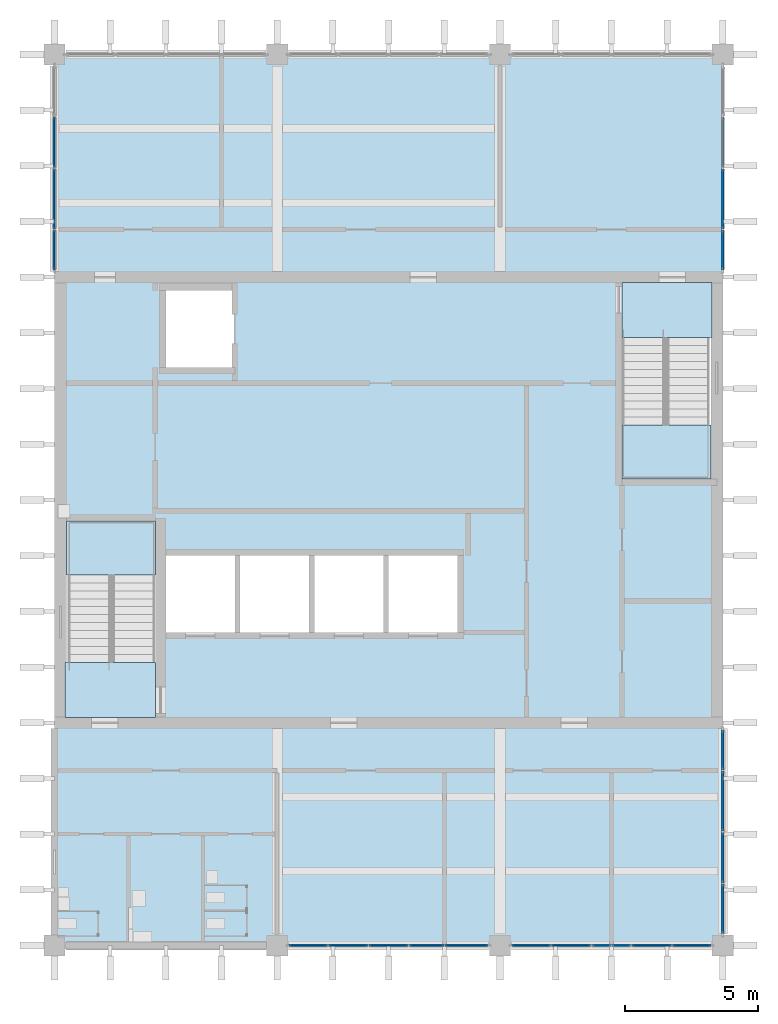
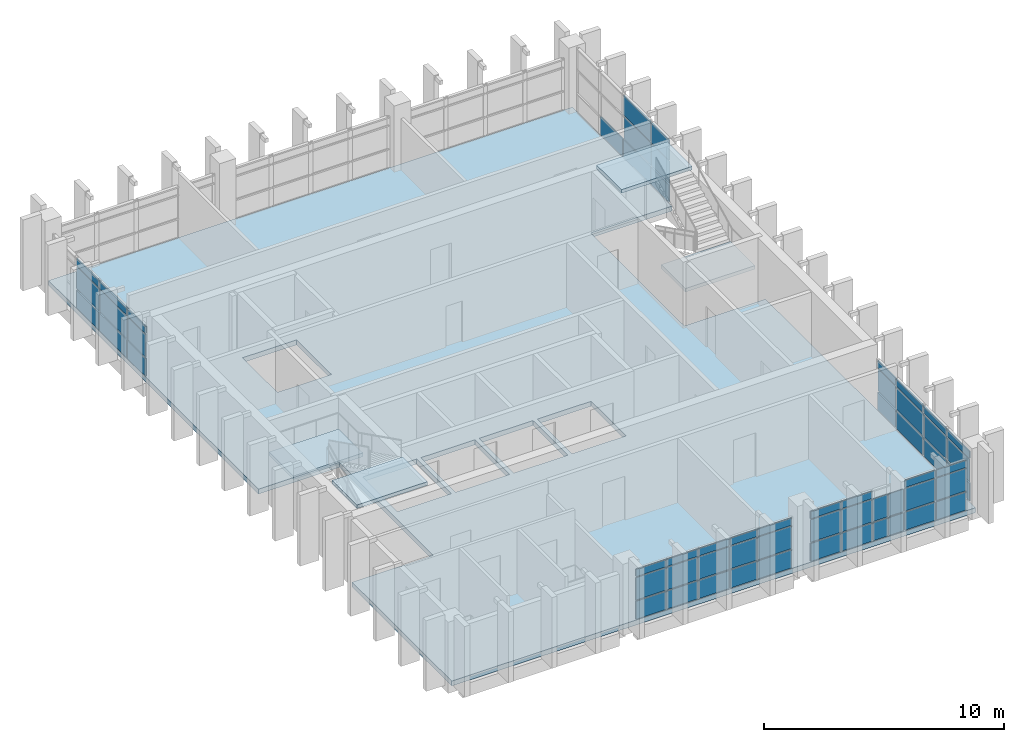
# One storey, part 5 of 11: 59 plates, 5 slabs, 7 elements without a shape of their own.
"""IFC4 building model written with IfcOpenShell, lengths in metres."""

from ifc_helpers import new_model, si_unit, direction, frame, origin, origin_2d, place, context, subcontext, project, spatial, polyline, rectangle, outline, extrude, material, layer, layer_set, type_object, element, aggregate, save


model = new_model("IFC4")

# Units and contexts
model_context = context("Model", 3, precision=1e-05, world=origin(), true_north=direction((0.0, 1.0)))
body_context = subcontext(model_context, "Body", "Model", "MODEL_VIEW")
ifc_project = project(units=[si_unit("LENGTHUNIT", "METRE"), si_unit("AREAUNIT", "SQUARE_METRE"), si_unit("VOLUMEUNIT", "CUBIC_METRE"), si_unit("PLANEANGLEUNIT", "RADIAN"), si_unit("MASSUNIT", "GRAM", prefix="KILO")], contexts=[model_context])

# Site, building, storey
site_placement = place(None, origin())
site = spatial("IfcSite", under=ifc_project, at=site_placement, CompositionType="ELEMENT")
building_placement = place(site_placement, origin())
building = spatial("IfcBuilding", under=site, at=building_placement, Name="Rulbaag Community and Learning Centre", CompositionType="ELEMENT")
storey_placement = place(building_placement, frame((0.0, 0.0, 36.0)))
storey = spatial("IfcBuildingStorey", under=building, at=storey_placement, Name="L09", CompositionType="ELEMENT", Elevation=36.0)

# Curtain wall, plates
ifc_material_1 = material(Name="Aluminium", Category="aluminium")
ifc_layer_1 = layer(ifc_material_1, 0.14990234375)
ifc_layer_set_1 = layer_set([ifc_layer_1], Name="CW-S")
curtain_wall_type_1 = type_object("IfcCurtainWallType", Name="CW-S", PredefinedType="USERDEFINED", material=ifc_layer_set_1)
curtain_wall_1_placement = place(storey_placement, origin())
curtain_wall_1 = element("IfcCurtainWall", 1, at=curtain_wall_1_placement, inside=storey, type_object=curtain_wall_type_1, Name="GS-L09-01", ObjectType="UNITISED CURTAIN WALL", PredefinedType="USERDEFINED")
ifc_layer_2 = layer(ifc_material_1, 0.054931640625)
ifc_layer_set_2 = layer_set([ifc_layer_2], Name="CW-S-SPN")
plate_type_1 = type_object("IfcPlateType", Name="CW-S-SPN", PredefinedType="CURTAIN_PANEL", material=ifc_layer_set_2)
plate_1_placement = place(storey_placement, frame((152.375, 84.0, 0.06005859375), z_axis=(0.0, 0.0, 1.0), x_axis=(1.0, 0.0, 0.0)))
plate_1 = element("IfcPlate", 2, at=plate_1_placement, type_object=plate_type_1, Name="GS spandrel panel", PredefinedType="CURTAIN_PANEL", context=body_context, shape_type="SweptSolid", body=[
    extrude(rectangle(XDim=1.429931640625, YDim=0.054931640625, at=origin_2d()), origin(), (0.0, 0.0, 1.0), 0.909912109375),
])
plate_2_placement = place(storey_placement, frame((152.375, 84.0, 2.22998046875), z_axis=(0.0, 0.0, 1.0), x_axis=(1.0, 0.0, 0.0)))
plate_2 = element("IfcPlate", 3, at=plate_2_placement, type_object=plate_type_1, Name="GS spandrel panel", PredefinedType="CURTAIN_PANEL", context=body_context, shape_type="SweptSolid", body=[
    extrude(rectangle(XDim=1.429931640625, YDim=0.054931640625, at=origin_2d()), origin(), (0.0, 0.0, 1.0), 0.360107421875),
])
plate_3_placement = place(storey_placement, frame((153.8798828125, 84.0, 0.06005859375), z_axis=(0.0, 0.0, 1.0), x_axis=(1.0, 0.0, 0.0)))
plate_3 = element("IfcPlate", 4, at=plate_3_placement, type_object=plate_type_1, Name="GS spandrel panel", PredefinedType="CURTAIN_PANEL", context=body_context, shape_type="SweptSolid", body=[
    extrude(rectangle(XDim=1.4599609375, YDim=0.054931640625, at=origin_2d()), origin(), (0.0, 0.0, 1.0), 0.909912109375),
])
plate_4_placement = place(storey_placement, frame((153.8798828125, 84.0, 2.22998046875), z_axis=(0.0, 0.0, 1.0), x_axis=(1.0, 0.0, 0.0)))
plate_4 = element("IfcPlate", 5, at=plate_4_placement, type_object=plate_type_1, Name="GS spandrel panel", PredefinedType="CURTAIN_PANEL", context=body_context, shape_type="SweptSolid", body=[
    extrude(rectangle(XDim=1.4599609375, YDim=0.054931640625, at=origin_2d()), origin(), (0.0, 0.0, 1.0), 0.360107421875),
])
plate_5_placement = place(storey_placement, frame((155.39990234375, 84.0, 0.06005859375), z_axis=(0.0, 0.0, 1.0), x_axis=(1.0, 0.0, 0.0)))
plate_5 = element("IfcPlate", 6, at=plate_5_placement, type_object=plate_type_1, Name="GS spandrel panel", PredefinedType="CURTAIN_PANEL", context=body_context, shape_type="SweptSolid", body=[
    extrude(rectangle(XDim=1.4599609375, YDim=0.054931640625, at=origin_2d()), origin(), (0.0, 0.0, 1.0), 0.909912109375),
])
plate_6_placement = place(storey_placement, frame((155.39990234375, 84.0, 2.22998046875), z_axis=(0.0, 0.0, 1.0), x_axis=(1.0, 0.0, 0.0)))
plate_6 = element("IfcPlate", 7, at=plate_6_placement, type_object=plate_type_1, Name="GS spandrel panel", PredefinedType="CURTAIN_PANEL", context=body_context, shape_type="SweptSolid", body=[
    extrude(rectangle(XDim=1.4599609375, YDim=0.054931640625, at=origin_2d()), origin(), (0.0, 0.0, 1.0), 0.360107421875),
])
plate_7_placement = place(storey_placement, frame((156.830078125, 84.0, 0.06005859375), z_axis=(0.0, 0.0, 1.0), x_axis=(1.0, 0.0, 0.0)))
plate_7 = element("IfcPlate", 8, at=plate_7_placement, type_object=plate_type_1, Name="GS spandrel panel", PredefinedType="CURTAIN_PANEL", context=body_context, shape_type="SweptSolid", body=[
    extrude(rectangle(XDim=1.280029296875, YDim=0.054931640625, at=origin_2d()), origin(), (0.0, 0.0, 1.0), 0.909912109375),
])
plate_8_placement = place(storey_placement, frame((156.830078125, 84.0, 2.22998046875), z_axis=(0.0, 0.0, 1.0), x_axis=(1.0, 0.0, 0.0)))
plate_8 = element("IfcPlate", 9, at=plate_8_placement, type_object=plate_type_1, Name="GS spandrel panel", PredefinedType="CURTAIN_PANEL", context=body_context, shape_type="SweptSolid", body=[
    extrude(rectangle(XDim=1.280029296875, YDim=0.054931640625, at=origin_2d()), origin(), (0.0, 0.0, 1.0), 0.360107421875),
])
plate_9_placement = place(storey_placement, frame((158.3349609375, 84.0, 0.06005859375), z_axis=(0.0, 0.0, 1.0), x_axis=(1.0, 0.0, 0.0)))
plate_9 = element("IfcPlate", 10, at=plate_9_placement, type_object=plate_type_1, Name="GS spandrel panel", PredefinedType="CURTAIN_PANEL", context=body_context, shape_type="SweptSolid", body=[
    extrude(rectangle(XDim=1.610107421875, YDim=0.054931640625, at=origin_2d()), origin(), (0.0, 0.0, 1.0), 0.909912109375),
])
plate_10_placement = place(storey_placement, frame((158.3349609375, 84.0, 2.22998046875), z_axis=(0.0, 0.0, 1.0), x_axis=(1.0, 0.0, 0.0)))
plate_10 = element("IfcPlate", 11, at=plate_10_placement, type_object=plate_type_1, Name="GS spandrel panel", PredefinedType="CURTAIN_PANEL", context=body_context, shape_type="SweptSolid", body=[
    extrude(rectangle(XDim=1.610107421875, YDim=0.054931640625, at=origin_2d()), origin(), (0.0, 0.0, 1.0), 0.360107421875),
])

curtain_wall_2_placement = place(storey_placement, origin())
curtain_wall_2 = element("IfcCurtainWall", 12, at=curtain_wall_2_placement, inside=storey, type_object=curtain_wall_type_1, Name="GS-L09-02", ObjectType="UNITISED CURTAIN WALL", PredefinedType="USERDEFINED")
plate_11_placement = place(storey_placement, frame((160.77490234375, 84.0, 0.06005859375), z_axis=(0.0, 0.0, 1.0), x_axis=(1.0, 0.0, 0.0)))
plate_11 = element("IfcPlate", 13, at=plate_11_placement, type_object=plate_type_1, Name="GS spandrel panel", PredefinedType="CURTAIN_PANEL", context=body_context, shape_type="SweptSolid", body=[
    extrude(rectangle(XDim=1.429931640625, YDim=0.054931640625, at=origin_2d()), origin(), (0.0, 0.0, 1.0), 0.909912109375),
])
plate_12_placement = place(storey_placement, frame((160.77490234375, 84.0, 2.22998046875), z_axis=(0.0, 0.0, 1.0), x_axis=(1.0, 0.0, 0.0)))
plate_12 = element("IfcPlate", 14, at=plate_12_placement, type_object=plate_type_1, Name="GS spandrel panel", PredefinedType="CURTAIN_PANEL", context=body_context, shape_type="SweptSolid", body=[
    extrude(rectangle(XDim=1.429931640625, YDim=0.054931640625, at=origin_2d()), origin(), (0.0, 0.0, 1.0), 0.360107421875),
])
plate_13_placement = place(storey_placement, frame((162.280029296875, 84.0, 0.06005859375), z_axis=(0.0, 0.0, 1.0), x_axis=(1.0, 0.0, 0.0)))
plate_13 = element("IfcPlate", 15, at=plate_13_placement, type_object=plate_type_1, Name="GS spandrel panel", PredefinedType="CURTAIN_PANEL", context=body_context, shape_type="SweptSolid", body=[
    extrude(rectangle(XDim=1.4599609375, YDim=0.054931640625, at=origin_2d()), origin(), (0.0, 0.0, 1.0), 0.909912109375),
])
plate_14_placement = place(storey_placement, frame((162.280029296875, 84.0, 2.22998046875), z_axis=(0.0, 0.0, 1.0), x_axis=(1.0, 0.0, 0.0)))
plate_14 = element("IfcPlate", 16, at=plate_14_placement, type_object=plate_type_1, Name="GS spandrel panel", PredefinedType="CURTAIN_PANEL", context=body_context, shape_type="SweptSolid", body=[
    extrude(rectangle(XDim=1.4599609375, YDim=0.054931640625, at=origin_2d()), origin(), (0.0, 0.0, 1.0), 0.360107421875),
])
plate_15_placement = place(storey_placement, frame((163.419921875, 84.0, 0.06005859375), z_axis=(0.0, 0.0, 1.0), x_axis=(1.0, 0.0, 0.0)))
plate_15 = element("IfcPlate", 17, at=plate_15_placement, type_object=plate_type_1, Name="GS spandrel panel", PredefinedType="CURTAIN_PANEL", context=body_context, shape_type="SweptSolid", body=[
    extrude(rectangle(XDim=0.699951171875, YDim=0.054931640625, at=origin_2d()), origin(), (0.0, 0.0, 1.0), 0.909912109375),
])
plate_16_placement = place(storey_placement, frame((164.179931640625, 84.0, 0.06005859375), z_axis=(0.0, 0.0, 1.0), x_axis=(1.0, 0.0, 0.0)))
plate_16 = element("IfcPlate", 18, at=plate_16_placement, type_object=plate_type_1, Name="GS spandrel panel", PredefinedType="CURTAIN_PANEL", context=body_context, shape_type="SweptSolid", body=[
    extrude(rectangle(XDim=0.699951171875, YDim=0.054931640625, at=origin_2d()), origin(), (0.0, 0.0, 1.0), 0.909912109375),
])
plate_17_placement = place(storey_placement, frame((165.320068359375, 84.0, 0.06005859375), z_axis=(0.0, 0.0, 1.0), x_axis=(1.0, 0.0, 0.0)))
plate_17 = element("IfcPlate", 19, at=plate_17_placement, type_object=plate_type_1, Name="GS spandrel panel", PredefinedType="CURTAIN_PANEL", context=body_context, shape_type="SweptSolid", body=[
    extrude(rectangle(XDim=1.4599609375, YDim=0.054931640625, at=origin_2d()), origin(), (0.0, 0.0, 1.0), 0.909912109375),
])
plate_18_placement = place(storey_placement, frame((165.320068359375, 84.0, 2.22998046875), z_axis=(0.0, 0.0, 1.0), x_axis=(1.0, 0.0, 0.0)))
plate_18 = element("IfcPlate", 20, at=plate_18_placement, type_object=plate_type_1, Name="GS spandrel panel", PredefinedType="CURTAIN_PANEL", context=body_context, shape_type="SweptSolid", body=[
    extrude(rectangle(XDim=1.4599609375, YDim=0.054931640625, at=origin_2d()), origin(), (0.0, 0.0, 1.0), 0.360107421875),
])
plate_19_placement = place(storey_placement, frame((166.824951171875, 84.0, 0.06005859375), z_axis=(0.0, 0.0, 1.0), x_axis=(1.0, 0.0, 0.0)))
plate_19 = element("IfcPlate", 21, at=plate_19_placement, type_object=plate_type_1, Name="GS spandrel panel", PredefinedType="CURTAIN_PANEL", context=body_context, shape_type="SweptSolid", body=[
    extrude(rectangle(XDim=1.429931640625, YDim=0.054931640625, at=origin_2d()), origin(), (0.0, 0.0, 1.0), 0.909912109375),
])
plate_20_placement = place(storey_placement, frame((166.824951171875, 84.0, 2.22998046875), z_axis=(0.0, 0.0, 1.0), x_axis=(1.0, 0.0, 0.0)))
plate_20 = element("IfcPlate", 22, at=plate_20_placement, type_object=plate_type_1, Name="GS spandrel panel", PredefinedType="CURTAIN_PANEL", context=body_context, shape_type="SweptSolid", body=[
    extrude(rectangle(XDim=1.429931640625, YDim=0.054931640625, at=origin_2d()), origin(), (0.0, 0.0, 1.0), 0.360107421875),
])

# Plate
ifc_material_2 = material(Name="Glass", Category="glass")
ifc_layer_3 = layer(ifc_material_2, 0.030029296875)
ifc_layer_set_3 = layer_set([ifc_layer_3], Name="CW-S-VIS")
plate_type_2 = type_object("IfcPlateType", Name="CW-S-VIS", PredefinedType="CURTAIN_PANEL", material=ifc_layer_set_3)
plate_21_placement = place(storey_placement, frame((152.375, 84.0, 1.0302734375), z_axis=(0.0, 0.0, 1.0), x_axis=(1.0, 0.0, 0.0)))
plate_21 = element("IfcPlate", 23, at=plate_21_placement, type_object=plate_type_2, Name="GS vision panel", PredefinedType="CURTAIN_PANEL", context=body_context, shape_type="SweptSolid", body=[
    extrude(rectangle(XDim=1.429931640625, YDim=0.030029296875, at=origin_2d()), origin(), (0.0, 0.0, 1.0), 1.139892578125),
])

plate_22_placement = place(storey_placement, frame((153.8798828125, 84.0, 1.0302734375), z_axis=(0.0, 0.0, 1.0), x_axis=(1.0, 0.0, 0.0)))
plate_22 = element("IfcPlate", 24, at=plate_22_placement, type_object=plate_type_2, Name="GS vision panel", PredefinedType="CURTAIN_PANEL", context=body_context, shape_type="SweptSolid", body=[
    extrude(rectangle(XDim=1.4599609375, YDim=0.030029296875, at=origin_2d()), origin(), (0.0, 0.0, 1.0), 1.139892578125),
])

plate_23_placement = place(storey_placement, frame((155.39990234375, 84.0, 1.0302734375), z_axis=(0.0, 0.0, 1.0), x_axis=(1.0, 0.0, 0.0)))
plate_23 = element("IfcPlate", 25, at=plate_23_placement, type_object=plate_type_2, Name="GS vision panel", PredefinedType="CURTAIN_PANEL", context=body_context, shape_type="SweptSolid", body=[
    extrude(rectangle(XDim=1.4599609375, YDim=0.030029296875, at=origin_2d()), origin(), (0.0, 0.0, 1.0), 1.139892578125),
])

plate_24_placement = place(storey_placement, frame((156.830078125, 84.0, 1.0302734375), z_axis=(0.0, 0.0, 1.0), x_axis=(1.0, 0.0, 0.0)))
plate_24 = element("IfcPlate", 26, at=plate_24_placement, type_object=plate_type_2, Name="GS vision panel", PredefinedType="CURTAIN_PANEL", context=body_context, shape_type="SweptSolid", body=[
    extrude(rectangle(XDim=1.280029296875, YDim=0.030029296875, at=origin_2d()), origin(), (0.0, 0.0, 1.0), 1.139892578125),
])

plate_25_placement = place(storey_placement, frame((158.3349609375, 84.0, 1.0302734375), z_axis=(0.0, 0.0, 1.0), x_axis=(1.0, 0.0, 0.0)))
plate_25 = element("IfcPlate", 27, at=plate_25_placement, type_object=plate_type_2, Name="GS vision panel", PredefinedType="CURTAIN_PANEL", context=body_context, shape_type="SweptSolid", body=[
    extrude(rectangle(XDim=1.610107421875, YDim=0.030029296875, at=origin_2d()), origin(), (0.0, 0.0, 1.0), 1.139892578125),
])

aggregate(curtain_wall_1, [plate_1, plate_21, plate_2, plate_3, plate_22, plate_4, plate_5, plate_23, plate_6, plate_7, plate_24, plate_8, plate_9, plate_25, plate_10])

plate_26_placement = place(storey_placement, frame((160.77490234375, 84.0, 1.0302734375), z_axis=(0.0, 0.0, 1.0), x_axis=(1.0, 0.0, 0.0)))
plate_26 = element("IfcPlate", 28, at=plate_26_placement, type_object=plate_type_2, Name="GS vision panel", PredefinedType="CURTAIN_PANEL", context=body_context, shape_type="SweptSolid", body=[
    extrude(rectangle(XDim=1.429931640625, YDim=0.030029296875, at=origin_2d()), origin(), (0.0, 0.0, 1.0), 1.139892578125),
])

plate_27_placement = place(storey_placement, frame((162.280029296875, 84.0, 1.0302734375), z_axis=(0.0, 0.0, 1.0), x_axis=(1.0, 0.0, 0.0)))
plate_27 = element("IfcPlate", 29, at=plate_27_placement, type_object=plate_type_2, Name="GS vision panel", PredefinedType="CURTAIN_PANEL", context=body_context, shape_type="SweptSolid", body=[
    extrude(rectangle(XDim=1.4599609375, YDim=0.030029296875, at=origin_2d()), origin(), (0.0, 0.0, 1.0), 1.139892578125),
])

plate_28_placement = place(storey_placement, frame((163.419921875, 84.0, 1.0302734375), z_axis=(0.0, 0.0, 1.0), x_axis=(1.0, 0.0, 0.0)))
plate_28 = element("IfcPlate", 30, at=plate_28_placement, type_object=plate_type_2, Name="GS vision panel", PredefinedType="CURTAIN_PANEL", context=body_context, shape_type="SweptSolid", body=[
    extrude(rectangle(XDim=0.699951171875, YDim=0.030029296875, at=origin_2d()), origin(), (0.0, 0.0, 1.0), 1.139892578125),
])

plate_29_placement = place(storey_placement, frame((164.179931640625, 84.0, 1.0302734375), z_axis=(0.0, 0.0, 1.0), x_axis=(1.0, 0.0, 0.0)))
plate_29 = element("IfcPlate", 31, at=plate_29_placement, type_object=plate_type_2, Name="GS vision panel", PredefinedType="CURTAIN_PANEL", context=body_context, shape_type="SweptSolid", body=[
    extrude(rectangle(XDim=0.699951171875, YDim=0.030029296875, at=origin_2d()), origin(), (0.0, 0.0, 1.0), 1.139892578125),
])

plate_30_placement = place(storey_placement, frame((165.320068359375, 84.0, 1.0302734375), z_axis=(0.0, 0.0, 1.0), x_axis=(1.0, 0.0, 0.0)))
plate_30 = element("IfcPlate", 32, at=plate_30_placement, type_object=plate_type_2, Name="GS vision panel", PredefinedType="CURTAIN_PANEL", context=body_context, shape_type="SweptSolid", body=[
    extrude(rectangle(XDim=1.4599609375, YDim=0.030029296875, at=origin_2d()), origin(), (0.0, 0.0, 1.0), 1.139892578125),
])

plate_31_placement = place(storey_placement, frame((166.824951171875, 84.0, 1.0302734375), z_axis=(0.0, 0.0, 1.0), x_axis=(1.0, 0.0, 0.0)))
plate_31 = element("IfcPlate", 33, at=plate_31_placement, type_object=plate_type_2, Name="GS vision panel", PredefinedType="CURTAIN_PANEL", context=body_context, shape_type="SweptSolid", body=[
    extrude(rectangle(XDim=1.429931640625, YDim=0.030029296875, at=origin_2d()), origin(), (0.0, 0.0, 1.0), 1.139892578125),
])

aggregate(curtain_wall_2, [plate_11, plate_26, plate_12, plate_13, plate_27, plate_14, plate_15, plate_28, plate_16, plate_29, plate_17, plate_30, plate_18, plate_19, plate_31, plate_20])

# Curtain wall, plates
ifc_layer_4 = layer(ifc_material_1, 0.14990234375)
ifc_layer_set_4 = layer_set([ifc_layer_4], Name="CW-T")
curtain_wall_type_2 = type_object("IfcCurtainWallType", Name="CW-T", PredefinedType="USERDEFINED", material=ifc_layer_set_4)
curtain_wall_3_placement = place(storey_placement, origin())
curtain_wall_3 = element("IfcCurtainWall", 34, at=curtain_wall_3_placement, inside=storey, type_object=curtain_wall_type_2, Name="GT-L09-04", ObjectType="UNITISED CURTAIN WALL", PredefinedType="USERDEFINED")
ifc_layer_5 = layer(ifc_material_1, 0.06005859375)
ifc_layer_set_5 = layer_set([ifc_layer_5], Name="CW-T-SPN")
plate_type_3 = type_object("IfcPlateType", Name="CW-T-SPN", PredefinedType="CURTAIN_PANEL", material=ifc_layer_set_5)
plate_32_placement = place(storey_placement, frame((142.800048828125, 110.228759765625, 0.06494140625), z_axis=(0.0, 0.0, 1.0), x_axis=(0.0, 1.0, 0.0)))
plate_32 = element("IfcPlate", 35, at=plate_32_placement, type_object=plate_type_3, Name="GT spandrel panel", PredefinedType="CURTAIN_PANEL", context=body_context, shape_type="SweptSolid", body=[
    extrude(rectangle(XDim=1.4775390625, YDim=0.06005859375, at=origin_2d()), origin(), (0.0, 0.0, 1.0), 0.902587890625),
])
plate_33_placement = place(storey_placement, frame((142.800048828125, 110.228759765625, 2.232421875), z_axis=(0.0, 0.0, 1.0), x_axis=(0.0, 1.0, 0.0)))
plate_33 = element("IfcPlate", 36, at=plate_33_placement, type_object=plate_type_3, Name="GT spandrel panel", PredefinedType="CURTAIN_PANEL", context=body_context, shape_type="SweptSolid", body=[
    extrude(rectangle(XDim=1.4775390625, YDim=0.06005859375, at=origin_2d()), origin(), (0.0, 0.0, 1.0), 0.3525390625),
])
plate_34_placement = place(storey_placement, frame((142.800048828125, 112.15625, 0.06494140625), z_axis=(0.0, 0.0, 1.0), x_axis=(0.0, 1.0, 0.0)))
plate_34 = element("IfcPlate", 37, at=plate_34_placement, type_object=plate_type_3, Name="GT spandrel panel", PredefinedType="CURTAIN_PANEL", context=body_context, shape_type="SweptSolid", body=[
    extrude(rectangle(XDim=2.24755859375, YDim=0.06005859375, at=origin_2d()), origin(), (0.0, 0.0, 1.0), 0.902587890625),
])
plate_35_placement = place(storey_placement, frame((142.800048828125, 112.15625, 2.232421875), z_axis=(0.0, 0.0, 1.0), x_axis=(0.0, 1.0, 0.0)))
plate_35 = element("IfcPlate", 38, at=plate_35_placement, type_object=plate_type_3, Name="GT spandrel panel", PredefinedType="CURTAIN_PANEL", context=body_context, shape_type="SweptSolid", body=[
    extrude(rectangle(XDim=2.24755859375, YDim=0.06005859375, at=origin_2d()), origin(), (0.0, 0.0, 1.0), 0.3525390625),
])
plate_36_placement = place(storey_placement, frame((142.800048828125, 114.284423828125, 0.06494140625), z_axis=(0.0, 0.0, 1.0), x_axis=(0.0, 1.0, 0.0)))
plate_36 = element("IfcPlate", 39, at=plate_36_placement, type_object=plate_type_3, Name="GT spandrel panel", PredefinedType="CURTAIN_PANEL", context=body_context, shape_type="SweptSolid", body=[
    extrude(rectangle(XDim=1.878662109375, YDim=0.06005859375, at=origin_2d()), origin(), (0.0, 0.0, 1.0), 0.902587890625),
])
plate_37_placement = place(storey_placement, frame((142.800048828125, 114.284423828125, 2.232421875), z_axis=(0.0, 0.0, 1.0), x_axis=(0.0, 1.0, 0.0)))
plate_37 = element("IfcPlate", 40, at=plate_37_placement, type_object=plate_type_3, Name="GT spandrel panel", PredefinedType="CURTAIN_PANEL", context=body_context, shape_type="SweptSolid", body=[
    extrude(rectangle(XDim=1.878662109375, YDim=0.06005859375, at=origin_2d()), origin(), (0.0, 0.0, 1.0), 0.3525390625),
])

curtain_wall_4_placement = place(storey_placement, origin())
curtain_wall_4 = element("IfcCurtainWall", 41, at=curtain_wall_4_placement, inside=storey, type_object=curtain_wall_type_2, Name="GT-L09-05", ObjectType="UNITISED CURTAIN WALL", PredefinedType="USERDEFINED")
plate_38_placement = place(storey_placement, frame((168.0, 85.38818359375, 0.06494140625), z_axis=(0.0, 0.0, 1.0), x_axis=(0.0, 1.0, 0.0)))
plate_38 = element("IfcPlate", 42, at=plate_38_placement, type_object=plate_type_3, Name="GT spandrel panel", PredefinedType="CURTAIN_PANEL", context=body_context, shape_type="SweptSolid", body=[
    extrude(rectangle(XDim=1.84619140625, YDim=0.06005859375, at=origin_2d()), origin(), (0.0, 0.0, 1.0), 0.902587890625),
])
plate_39_placement = place(storey_placement, frame((168.0, 85.38818359375, 2.232421875), z_axis=(0.0, 0.0, 1.0), x_axis=(0.0, 1.0, 0.0)))
plate_39 = element("IfcPlate", 43, at=plate_39_placement, type_object=plate_type_3, Name="GT spandrel panel", PredefinedType="CURTAIN_PANEL", context=body_context, shape_type="SweptSolid", body=[
    extrude(rectangle(XDim=1.84619140625, YDim=0.06005859375, at=origin_2d()), origin(), (0.0, 0.0, 1.0), 0.3525390625),
])
plate_40_placement = place(storey_placement, frame((168.0, 87.315673828125, 0.06494140625), z_axis=(0.0, 0.0, 1.0), x_axis=(0.0, 1.0, 0.0)))
plate_40 = element("IfcPlate", 44, at=plate_40_placement, type_object=plate_type_3, Name="GT spandrel panel", PredefinedType="CURTAIN_PANEL", context=body_context, shape_type="SweptSolid", body=[
    extrude(rectangle(XDim=1.878662109375, YDim=0.06005859375, at=origin_2d()), origin(), (0.0, 0.0, 1.0), 0.902587890625),
])
plate_41_placement = place(storey_placement, frame((168.0, 87.315673828125, 2.232421875), z_axis=(0.0, 0.0, 1.0), x_axis=(0.0, 1.0, 0.0)))
plate_41 = element("IfcPlate", 45, at=plate_41_placement, type_object=plate_type_3, Name="GT spandrel panel", PredefinedType="CURTAIN_PANEL", context=body_context, shape_type="SweptSolid", body=[
    extrude(rectangle(XDim=1.878662109375, YDim=0.06005859375, at=origin_2d()), origin(), (0.0, 0.0, 1.0), 0.3525390625),
])
plate_42_placement = place(storey_placement, frame((168.0, 89.44384765625, 0.06494140625), z_axis=(0.0, 0.0, 1.0), x_axis=(0.0, 1.0, 0.0)))
plate_42 = element("IfcPlate", 46, at=plate_42_placement, type_object=plate_type_3, Name="GT spandrel panel", PredefinedType="CURTAIN_PANEL", context=body_context, shape_type="SweptSolid", body=[
    extrude(rectangle(XDim=2.24755859375, YDim=0.06005859375, at=origin_2d()), origin(), (0.0, 0.0, 1.0), 0.902587890625),
])
plate_43_placement = place(storey_placement, frame((168.0, 89.44384765625, 2.232421875), z_axis=(0.0, 0.0, 1.0), x_axis=(0.0, 1.0, 0.0)))
plate_43 = element("IfcPlate", 47, at=plate_43_placement, type_object=plate_type_3, Name="GT spandrel panel", PredefinedType="CURTAIN_PANEL", context=body_context, shape_type="SweptSolid", body=[
    extrude(rectangle(XDim=2.24755859375, YDim=0.06005859375, at=origin_2d()), origin(), (0.0, 0.0, 1.0), 0.3525390625),
])
plate_44_placement = place(storey_placement, frame((168.0, 91.371337890625, 0.06494140625), z_axis=(0.0, 0.0, 1.0), x_axis=(0.0, 1.0, 0.0)))
plate_44 = element("IfcPlate", 48, at=plate_44_placement, type_object=plate_type_3, Name="GT spandrel panel", PredefinedType="CURTAIN_PANEL", context=body_context, shape_type="SweptSolid", body=[
    extrude(rectangle(XDim=1.4775390625, YDim=0.06005859375, at=origin_2d()), origin(), (0.0, 0.0, 1.0), 0.902587890625),
])
plate_45_placement = place(storey_placement, frame((168.0, 91.371337890625, 2.232421875), z_axis=(0.0, 0.0, 1.0), x_axis=(0.0, 1.0, 0.0)))
plate_45 = element("IfcPlate", 49, at=plate_45_placement, type_object=plate_type_3, Name="GT spandrel panel", PredefinedType="CURTAIN_PANEL", context=body_context, shape_type="SweptSolid", body=[
    extrude(rectangle(XDim=1.4775390625, YDim=0.06005859375, at=origin_2d()), origin(), (0.0, 0.0, 1.0), 0.3525390625),
])

curtain_wall_5_placement = place(storey_placement, origin())
curtain_wall_5 = element("IfcCurtainWall", 50, at=curtain_wall_5_placement, inside=storey, type_object=curtain_wall_type_2, Name="GT-L09-06", ObjectType="UNITISED CURTAIN WALL", PredefinedType="USERDEFINED")
plate_46_placement = place(storey_placement, frame((168.0, 110.228759765625, 0.06494140625), z_axis=(0.0, 0.0, 1.0), x_axis=(0.0, 1.0, 0.0)))
plate_46 = element("IfcPlate", 51, at=plate_46_placement, type_object=plate_type_3, Name="GT spandrel panel", PredefinedType="CURTAIN_PANEL", context=body_context, shape_type="SweptSolid", body=[
    extrude(rectangle(XDim=1.4775390625, YDim=0.06005859375, at=origin_2d()), origin(), (0.0, 0.0, 1.0), 0.902587890625),
])
plate_47_placement = place(storey_placement, frame((168.0, 110.228759765625, 2.232421875), z_axis=(0.0, 0.0, 1.0), x_axis=(0.0, 1.0, 0.0)))
plate_47 = element("IfcPlate", 52, at=plate_47_placement, type_object=plate_type_3, Name="GT spandrel panel", PredefinedType="CURTAIN_PANEL", context=body_context, shape_type="SweptSolid", body=[
    extrude(rectangle(XDim=1.4775390625, YDim=0.06005859375, at=origin_2d()), origin(), (0.0, 0.0, 1.0), 1.00244140625),
])
plate_48_placement = place(storey_placement, frame((168.0, 112.15625, 0.06494140625), z_axis=(0.0, 0.0, 1.0), x_axis=(0.0, 1.0, 0.0)))
plate_48 = element("IfcPlate", 53, at=plate_48_placement, type_object=plate_type_3, Name="GT spandrel panel", PredefinedType="CURTAIN_PANEL", context=body_context, shape_type="SweptSolid", body=[
    extrude(rectangle(XDim=2.24755859375, YDim=0.06005859375, at=origin_2d()), origin(), (0.0, 0.0, 1.0), 0.902587890625),
])
plate_49_placement = place(storey_placement, frame((168.0, 112.15625, 2.232421875), z_axis=(0.0, 0.0, 1.0), x_axis=(0.0, 1.0, 0.0)))
plate_49 = element("IfcPlate", 54, at=plate_49_placement, type_object=plate_type_3, Name="GT spandrel panel", PredefinedType="CURTAIN_PANEL", context=body_context, shape_type="SweptSolid", body=[
    extrude(rectangle(XDim=2.24755859375, YDim=0.06005859375, at=origin_2d()), origin(), (0.0, 0.0, 1.0), 1.00244140625),
])
plate_50_placement = place(storey_placement, frame((168.0, 114.284423828125, 0.06494140625), z_axis=(0.0, 0.0, 1.0), x_axis=(0.0, 1.0, 0.0)))
plate_50 = element("IfcPlate", 55, at=plate_50_placement, type_object=plate_type_3, Name="GT spandrel panel", PredefinedType="CURTAIN_PANEL", context=body_context, shape_type="SweptSolid", body=[
    extrude(rectangle(XDim=1.878662109375, YDim=0.06005859375, at=origin_2d()), origin(), (0.0, 0.0, 1.0), 0.902587890625),
])

# Plate
ifc_layer_6 = layer(ifc_material_2, 0.028076171875)
ifc_layer_set_6 = layer_set([ifc_layer_6], Name="CW-T-VIS")
plate_type_4 = type_object("IfcPlateType", Name="CW-T-VIS", PredefinedType="CURTAIN_PANEL", material=ifc_layer_set_6)
plate_51_placement = place(storey_placement, frame((142.800048828125, 110.228759765625, 1.03271484375), z_axis=(0.0, 0.0, 1.0), x_axis=(0.0, 1.0, 0.0)))
plate_51 = element("IfcPlate", 56, at=plate_51_placement, type_object=plate_type_4, Name="GT vision panel", PredefinedType="CURTAIN_PANEL", context=body_context, shape_type="SweptSolid", body=[
    extrude(rectangle(XDim=1.4775390625, YDim=0.028076171875, at=origin_2d()), origin(), (0.0, 0.0, 1.0), 1.135009765625),
])

plate_52_placement = place(storey_placement, frame((142.800048828125, 112.15625, 1.03271484375), z_axis=(0.0, 0.0, 1.0), x_axis=(0.0, 1.0, 0.0)))
plate_52 = element("IfcPlate", 57, at=plate_52_placement, type_object=plate_type_4, Name="GT vision panel", PredefinedType="CURTAIN_PANEL", context=body_context, shape_type="SweptSolid", body=[
    extrude(rectangle(XDim=2.24755859375, YDim=0.028076171875, at=origin_2d()), origin(), (0.0, 0.0, 1.0), 1.135009765625),
])

plate_53_placement = place(storey_placement, frame((142.800048828125, 114.284423828125, 1.03271484375), z_axis=(0.0, 0.0, 1.0), x_axis=(0.0, 1.0, 0.0)))
plate_53 = element("IfcPlate", 58, at=plate_53_placement, type_object=plate_type_4, Name="GT vision panel", PredefinedType="CURTAIN_PANEL", context=body_context, shape_type="SweptSolid", body=[
    extrude(rectangle(XDim=1.878662109375, YDim=0.028076171875, at=origin_2d()), origin(), (0.0, 0.0, 1.0), 1.135009765625),
])

aggregate(curtain_wall_3, [plate_32, plate_51, plate_33, plate_34, plate_52, plate_35, plate_36, plate_53, plate_37])

plate_54_placement = place(storey_placement, frame((168.0, 85.38818359375, 1.03271484375), z_axis=(0.0, 0.0, 1.0), x_axis=(0.0, 1.0, 0.0)))
plate_54 = element("IfcPlate", 59, at=plate_54_placement, type_object=plate_type_4, Name="GT vision panel", PredefinedType="CURTAIN_PANEL", context=body_context, shape_type="SweptSolid", body=[
    extrude(rectangle(XDim=1.84619140625, YDim=0.028076171875, at=origin_2d()), origin(), (0.0, 0.0, 1.0), 1.135009765625),
])

plate_55_placement = place(storey_placement, frame((168.0, 87.315673828125, 1.03271484375), z_axis=(0.0, 0.0, 1.0), x_axis=(0.0, 1.0, 0.0)))
plate_55 = element("IfcPlate", 60, at=plate_55_placement, type_object=plate_type_4, Name="GT vision panel", PredefinedType="CURTAIN_PANEL", context=body_context, shape_type="SweptSolid", body=[
    extrude(rectangle(XDim=1.878662109375, YDim=0.028076171875, at=origin_2d()), origin(), (0.0, 0.0, 1.0), 1.135009765625),
])

plate_56_placement = place(storey_placement, frame((168.0, 89.44384765625, 1.03271484375), z_axis=(0.0, 0.0, 1.0), x_axis=(0.0, 1.0, 0.0)))
plate_56 = element("IfcPlate", 61, at=plate_56_placement, type_object=plate_type_4, Name="GT vision panel", PredefinedType="CURTAIN_PANEL", context=body_context, shape_type="SweptSolid", body=[
    extrude(rectangle(XDim=2.24755859375, YDim=0.028076171875, at=origin_2d()), origin(), (0.0, 0.0, 1.0), 1.135009765625),
])

plate_57_placement = place(storey_placement, frame((168.0, 91.371337890625, 1.03271484375), z_axis=(0.0, 0.0, 1.0), x_axis=(0.0, 1.0, 0.0)))
plate_57 = element("IfcPlate", 62, at=plate_57_placement, type_object=plate_type_4, Name="GT vision panel", PredefinedType="CURTAIN_PANEL", context=body_context, shape_type="SweptSolid", body=[
    extrude(rectangle(XDim=1.4775390625, YDim=0.028076171875, at=origin_2d()), origin(), (0.0, 0.0, 1.0), 1.135009765625),
])

aggregate(curtain_wall_4, [plate_38, plate_54, plate_39, plate_40, plate_55, plate_41, plate_42, plate_56, plate_43, plate_44, plate_57, plate_45])

plate_58_placement = place(storey_placement, frame((168.0, 110.228759765625, 1.03271484375), z_axis=(0.0, 0.0, 1.0), x_axis=(0.0, 1.0, 0.0)))
plate_58 = element("IfcPlate", 63, at=plate_58_placement, type_object=plate_type_4, Name="GT vision panel", PredefinedType="CURTAIN_PANEL", context=body_context, shape_type="SweptSolid", body=[
    extrude(rectangle(XDim=1.4775390625, YDim=0.028076171875, at=origin_2d()), origin(), (0.0, 0.0, 1.0), 1.135009765625),
])

plate_59_placement = place(storey_placement, frame((168.0, 112.15625, 1.03271484375), z_axis=(0.0, 0.0, 1.0), x_axis=(0.0, 1.0, 0.0)))
plate_59 = element("IfcPlate", 64, at=plate_59_placement, type_object=plate_type_4, Name="GT vision panel", PredefinedType="CURTAIN_PANEL", context=body_context, shape_type="SweptSolid", body=[
    extrude(rectangle(XDim=2.24755859375, YDim=0.028076171875, at=origin_2d()), origin(), (0.0, 0.0, 1.0), 1.135009765625),
])

aggregate(curtain_wall_5, [plate_46, plate_58, plate_47, plate_48, plate_59, plate_49, plate_50])

# Stair, slabs
ifc_material_3 = material(Name="Concrete M40", Category="concrete")
stair_type = type_object("IfcStairType", Name="ST-1650 STAIR 1650 WIDE", PredefinedType="HALF_TURN_STAIR", material=ifc_material_3)
stair_1_placement = place(storey_placement, origin())
stair_1 = element("IfcStair", 65, at=stair_1_placement, inside=storey, type_object=stair_type, Name="Stair ST1 L09", PredefinedType="HALF_TURN_STAIR")
ifc_layer_7 = layer(ifc_material_3, 0.179931640625)
ifc_layer_set_7 = layer_set([ifc_layer_7], Name="LN-180 LANDING 180 Concrete M40")
slab_type_1 = type_object("IfcSlabType", Name="LN-180 LANDING 180 Concrete M40", PredefinedType="LANDING", material=ifc_layer_set_7)
slab_1_placement = place(storey_placement, frame((0.0, 0.0, 1.6201171875)))
slab_1 = element("IfcSlab", 66, at=slab_1_placement, type_object=slab_type_1, Name="ST1 landing 1", PredefinedType="LANDING", context=body_context, shape_type="SweptSolid", body=[
    extrude(outline(polyline([(143.25, 97.97509765625), (143.25, 100.0), (146.60009765625, 100.0), (146.60009765625, 97.97509765625), (143.25, 97.97509765625)])), origin(), (0.0, 0.0, 1.0), 0.179931640625),
])
slab_2_placement = place(storey_placement, frame((0.0, 0.0, 3.419921875)))
slab_2 = element("IfcSlab", 67, at=slab_2_placement, type_object=slab_type_1, Name="ST1 landing 2", PredefinedType="LANDING", context=body_context, shape_type="SweptSolid", body=[
    extrude(outline(polyline([(143.199951171875, 92.60009765625), (143.199951171875, 94.675048828125), (146.60009765625, 94.675048828125), (146.60009765625, 92.60009765625), (143.199951171875, 92.60009765625)])), origin(), (0.0, 0.0, 1.0), 0.18017578125),
])
aggregate(stair_1, [slab_1, slab_2])

stair_2_placement = place(storey_placement, origin())
stair_2 = element("IfcStair", 68, at=stair_2_placement, inside=storey, type_object=stair_type, Name="Stair ST2 L09", PredefinedType="HALF_TURN_STAIR")
slab_3_placement = place(storey_placement, frame((0.0, 0.0, 1.6201171875)))
slab_3 = element("IfcSlab", 69, at=slab_3_placement, type_object=slab_type_1, Name="ST2 landing 1", PredefinedType="LANDING", context=body_context, shape_type="SweptSolid", body=[
    extrude(outline(polyline([(164.199951171875, 101.60009765625), (164.199951171875, 103.625), (167.550048828125, 103.625), (167.550048828125, 101.60009765625), (164.199951171875, 101.60009765625)])), origin(), (0.0, 0.0, 1.0), 0.179931640625),
])
slab_4_placement = place(storey_placement, frame((0.0, 0.0, 3.419921875)))
slab_4 = element("IfcSlab", 70, at=slab_4_placement, type_object=slab_type_1, Name="ST2 landing 2", PredefinedType="LANDING", context=body_context, shape_type="SweptSolid", body=[
    extrude(outline(polyline([(164.199951171875, 106.925048828125), (164.199951171875, 109.0), (167.60009765625, 109.0), (167.60009765625, 106.925048828125), (164.199951171875, 106.925048828125)])), origin(), (0.0, 0.0, 1.0), 0.18017578125),
])
aggregate(stair_2, [slab_3, slab_4])

# Slab
ifc_layer_8 = layer(ifc_material_3, 0.25)
ifc_layer_set_8 = layer_set([ifc_layer_8], Name="S10 Floor slab 250 Concrete M40")
slab_type_2 = type_object("IfcSlabType", Name="S10 Floor slab 250 Concrete M40", PredefinedType="FLOOR", material=ifc_layer_set_8)
slab_5_placement = place(storey_placement, frame((0.0, 0.0, -0.25)))
element("IfcSlab", 71, at=slab_5_placement, inside=storey, type_object=slab_type_2, Name="SL-L09-B01", PredefinedType="FLOOR", context=body_context, shape_type="SweptSolid", body=[
    extrude(outline(polyline([(168.0, 84.0), (142.800048828125, 84.0), (142.800048828125, 92.300048828125), (146.699951171875, 92.300048828125), (146.699951171875, 100.10009765625), (142.800048828125, 100.10009765625), (142.800048828125, 117.60009765625), (168.0, 117.60009765625), (168.0, 109.300048828125), (164.10009765625, 109.300048828125), (164.10009765625, 101.5), (168.0, 101.5), (168.0, 84.0)]), holes=[polyline([(147.0, 98.699951171875), (147.0, 95.800048828125), (149.60009765625, 95.800048828125), (149.60009765625, 98.699951171875), (147.0, 98.699951171875)]), polyline([(149.800048828125, 98.699951171875), (149.800048828125, 95.800048828125), (152.39990234375, 95.800048828125), (152.39990234375, 98.699951171875), (149.800048828125, 98.699951171875)]), polyline([(152.60009765625, 98.699951171875), (152.60009765625, 95.800048828125), (155.199951171875, 95.800048828125), (155.199951171875, 98.699951171875), (152.60009765625, 98.699951171875)]), polyline([(155.39990234375, 98.699951171875), (155.39990234375, 95.800048828125), (158.0, 95.800048828125), (158.0, 98.699951171875), (155.39990234375, 98.699951171875)]), polyline([(147.0, 108.699951171875), (147.0, 105.800048828125), (149.60009765625, 105.800048828125), (149.60009765625, 108.699951171875), (147.0, 108.699951171875)])]), origin(), (0.0, 0.0, 1.0), 0.25),
])

save(model, "model.ifc")
